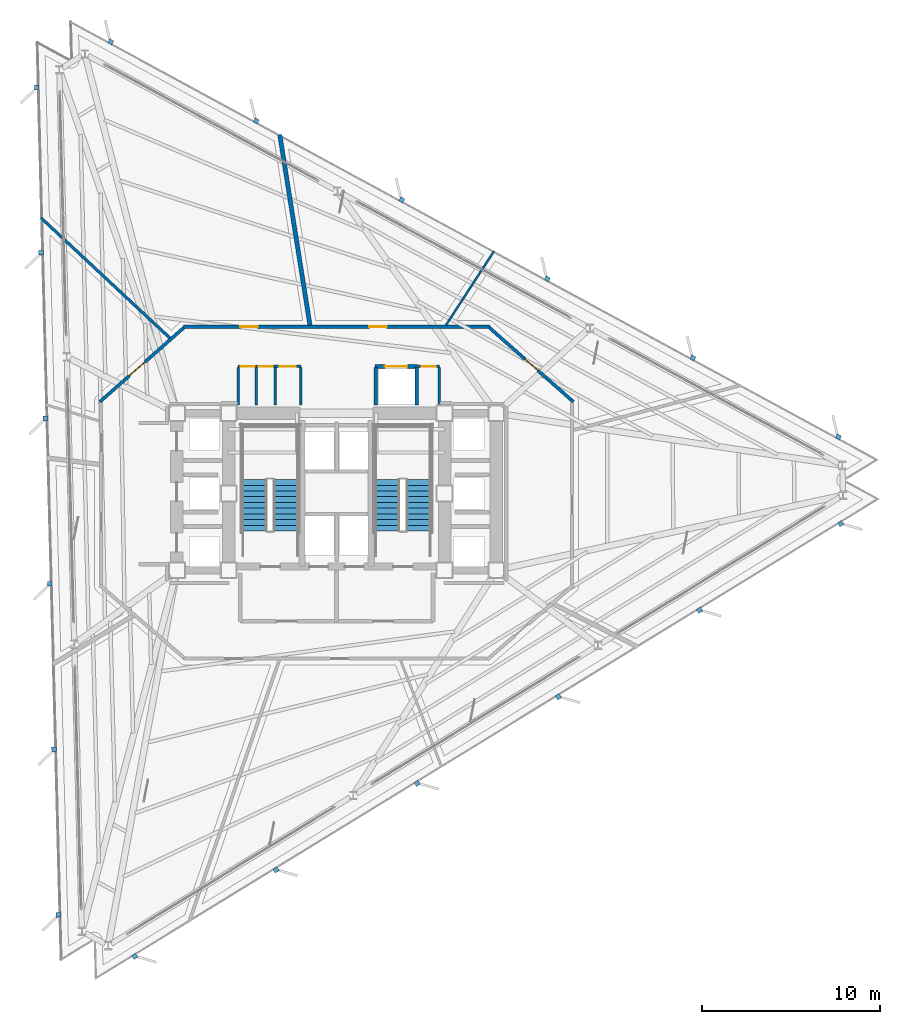
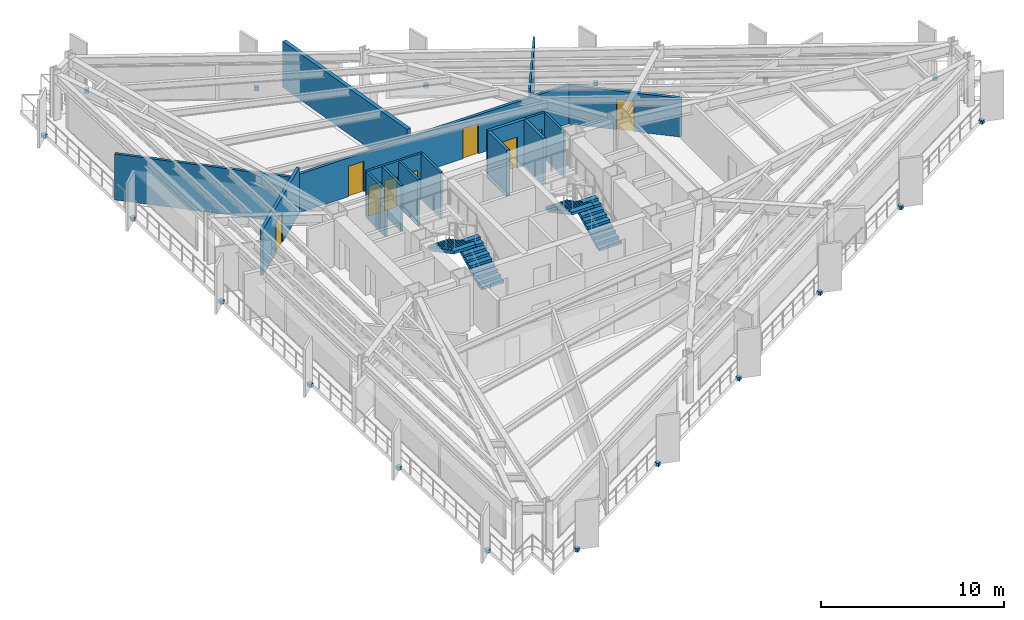
# One storey, part 9 of 14: 18 discrete accessories, 16 walls, 9 doors, 4 stair flights, 9 openings, 2 elements without a shape of their own.
"""IFC4 building model written with IfcOpenShell, lengths in metres."""

from ifc_helpers import new_model, si_unit, direction, frame, frame_2d, origin, origin_2d, place, context, subcontext, project, spatial, polyline, rectangle, outline, extrude, material, layer, layer_set, type_object, element, fill, aggregate, save


model = new_model("IFC4")

# Units and contexts
model_context = context("Model", 3, precision=1e-05, world=origin(), true_north=direction((0.0, 1.0)))
body_context = subcontext(model_context, "Body", "Model", "MODEL_VIEW")
ifc_project = project(units=[si_unit("LENGTHUNIT", "METRE"), si_unit("AREAUNIT", "SQUARE_METRE"), si_unit("VOLUMEUNIT", "CUBIC_METRE"), si_unit("PLANEANGLEUNIT", "RADIAN"), si_unit("MASSUNIT", "GRAM", prefix="KILO")], contexts=[model_context])

# Site, building, storey
site_placement = place(None, origin())
site = spatial("IfcSite", under=ifc_project, at=site_placement, CompositionType="ELEMENT")
building_placement = place(site_placement, origin())
building = spatial("IfcBuilding", under=site, at=building_placement, Name="Rocaltana Carrier Exchange", CompositionType="ELEMENT")
storey_placement = place(building_placement, frame((0.0, 0.0, 32.320068359375)))
storey = spatial("IfcBuildingStorey", under=building, at=storey_placement, Name="L10", CompositionType="ELEMENT", Elevation=32.320068359375)

# Wall
ifc_material_1 = material(Name="Double Acoustic Gypsum Partition", Category="gypsum")
ifc_layer_1 = layer(ifc_material_1, 0.159912109375)
ifc_layer_set_1 = layer_set([ifc_layer_1], Name="Double Acoustic Gypsum Partition")
wall_type_1 = type_object("IfcWallType", Name="Acoustic Studio Partition 160 EI60", PredefinedType="PARTITIONING", material=ifc_layer_set_1)
wall_1_placement = place(storey_placement, frame((-9.343017578125, 8.71240234375, 0.0), z_axis=(0.0, 0.0, 1.0), x_axis=(-0.731347028882, 0.682005515627, 0.0)))
element("IfcWall", 1, at=wall_1_placement, inside=storey, type_object=wall_type_1, Name="L10 Suite Divider Wall D8", PredefinedType="PARTITIONING", context=body_context, shape_type="SweptSolid", body=[
    extrude(rectangle(XDim=9.876220703125, YDim=0.159912109375, at=frame_2d((4.93798828125, 0.0))), origin(), (0.0, 0.0, 1.0), 3.072998046875),
])

# Wall, openings, doors
ifc_material_2 = material(Name="Gypsum & Steel Stud Partition", Category="steel")
ifc_layer_2 = layer(ifc_material_2, 0.179931640625)
ifc_layer_set_2 = layer_set([ifc_layer_2], Name="Gypsum & Steel Stud Partition")
wall_type_2 = type_object("IfcWallType", Name="Corridor Fire Partition 180 EI60", PredefinedType="PARTITIONING", material=ifc_layer_set_2)
wall_2_placement = place(storey_placement, frame((-8.590087890625, 9.35009765625, 0.0), z_axis=(0.0, 0.0, 1.0), x_axis=(1.0, 0.0, 0.0)))
wall_2 = element("IfcWall", 2, at=wall_2_placement, inside=storey, type_object=wall_type_2, Name="L10 Corridor Partition 1", PredefinedType="PARTITIONING", context=body_context, shape_type="SweptSolid", body=[
    extrude(rectangle(XDim=17.18017578125, YDim=0.179931640625, at=frame_2d((8.590087890625, 0.0))), origin(), (0.0, 0.0, 1.0), 2.5869140625),
])
opening_1_placement = place(wall_2_placement, frame((10.430419921875, 0.0, 0.0)))
opening_1 = element("IfcOpeningElement", 3, at=opening_1_placement, cuts=wall_2, Name="Opening D-RM098", PredefinedType="OPENING", context=body_context, shape_type="SweptSolid", body=[
    extrude(rectangle(XDim=0.9599609375, YDim=2.02001953125, at=frame_2d((0.47998046875, 1.010009765625))), frame((0.0, 0.099853515625, 0.0), z_axis=(0.0, -1.0, 0.0), x_axis=(1.0, 0.0, 0.0)), (0.0, 0.0, 1.0), 0.199951171875),
])
opening_2_placement = place(wall_2_placement, frame((3.197998046875, 0.0, 0.0)))
opening_2 = element("IfcOpeningElement", 4, at=opening_2_placement, cuts=wall_2, Name="Opening D-RM098", PredefinedType="OPENING", context=body_context, shape_type="SweptSolid", body=[
    extrude(rectangle(XDim=0.9599609375, YDim=2.02001953125, at=frame_2d((0.47998046875, 1.010009765625))), frame((0.0, 0.099853515625, 0.0), z_axis=(0.0, -1.0, 0.0), x_axis=(1.0, 0.0, 0.0)), (0.0, 0.0, 1.0), 0.199951171875),
])
ifc_material_3 = material(Name="Engineered Hardwood Timber", Category="wood")
door_type_1 = type_object("IfcDoorType", Name="Workspace Single Door 960x2020", OperationType="NOTDEFINED", PredefinedType="DOOR", material=ifc_material_3)
door_1_placement = place(opening_1_placement, origin())
door_1 = element("IfcDoor", 5, at=door_1_placement, inside=storey, type_object=door_type_1, Name="L10 Quiet Focus Lounge Entrance Door", OperationType="SINGLE_SWING_RIGHT", OverallHeight=2.02001953125, OverallWidth=0.9599609375, PredefinedType="DOOR", context=body_context, shape_type="SweptSolid", body=[
    extrude(rectangle(XDim=0.9599609375, YDim=2.02001953125, at=frame_2d((0.47998046875, 1.010009765625))), frame((0.0, 0.02490234375, 0.0), z_axis=(0.0, -1.0, 0.0), x_axis=(1.0, 0.0, 0.0)), (0.0, 0.0, 1.0), 0.050048828125),
])
fill(opening_1, door_1)
door_2_placement = place(opening_2_placement, origin())
door_2 = element("IfcDoor", 6, at=door_2_placement, inside=storey, type_object=door_type_1, Name="L10 Incident Briefing Room Entrance Door", OperationType="SINGLE_SWING_LEFT", OverallHeight=2.02001953125, OverallWidth=0.9599609375, PredefinedType="DOOR", context=body_context, shape_type="SweptSolid", body=[
    extrude(rectangle(XDim=0.9599609375, YDim=2.02001953125, at=frame_2d((0.47998046875, 1.010009765625))), frame((0.0, 0.02490234375, 0.0), z_axis=(0.0, -1.0, 0.0), x_axis=(1.0, 0.0, 0.0)), (0.0, 0.0, 1.0), 0.050048828125),
])
fill(opening_2, door_2)

# Wall, opening, door
wall_3_placement = place(storey_placement, frame((8.5673828125, 9.290283203125, 0.0), z_axis=(0.0, 0.0, 1.0), x_axis=(0.749626463267, -0.66186113768, 0.0)))
wall_3 = element("IfcWall", 7, at=wall_3_placement, inside=storey, type_object=wall_type_2, Name="L10 Corridor Partition 2", PredefinedType="PARTITIONING", context=body_context, shape_type="SweptSolid", body=[
    extrude(rectangle(XDim=6.27001953125, YDim=0.179931640625, at=frame_2d((3.135009765625, 0.0))), origin(), (0.0, 0.0, 1.0), 2.5869140625),
])
opening_3_placement = place(wall_3_placement, frame((2.655029296875, 0.0, 0.0)))
opening_3 = element("IfcOpeningElement", 8, at=opening_3_placement, cuts=wall_3, Name="Opening D-RM098", PredefinedType="OPENING", context=body_context, shape_type="SweptSolid", body=[
    extrude(rectangle(XDim=0.9599609375, YDim=2.02001953125, at=frame_2d((0.47998046875, 1.010009765625))), frame((0.0, 0.099853515625, 0.0), z_axis=(0.0, -1.0, 0.0), x_axis=(1.0, 0.0, 0.0)), (0.0, 0.0, 1.0), 0.199951171875),
])
door_3_placement = place(opening_3_placement, origin())
door_3 = element("IfcDoor", 9, at=door_3_placement, inside=storey, type_object=door_type_1, Name="L10 Peering Conference Room Entrance Door", OperationType="SINGLE_SWING_LEFT", OverallHeight=2.02001953125, OverallWidth=0.9599609375, PredefinedType="DOOR", context=body_context, shape_type="SweptSolid", body=[
    extrude(rectangle(XDim=0.9599609375, YDim=2.02001953125, at=frame_2d((0.47998046875, 1.010009765625))), frame((0.0, 0.02490234375, 0.0), z_axis=(0.0, -1.0, 0.0), x_axis=(1.0, 0.0, 0.0)), (0.0, 0.0, 1.0), 0.050048828125),
])
fill(opening_3, door_3)

wall_4_placement = place(storey_placement, frame((-13.267578125, 5.140380859375, 0.0), z_axis=(0.0, 0.0, 1.0), x_axis=(0.749626463267, 0.66186113768, 0.0)))
wall_4 = element("IfcWall", 10, at=wall_4_placement, inside=storey, type_object=wall_type_2, Name="L10 Corridor Partition 8", PredefinedType="PARTITIONING", context=body_context, shape_type="SweptSolid", body=[
    extrude(rectangle(XDim=6.27001953125, YDim=0.179931640625, at=frame_2d((3.135009765625, 0.0))), origin(), (0.0, 0.0, 1.0), 3.072998046875),
])
opening_4_placement = place(wall_4_placement, frame((2.193115234375, 0.0, 0.0)))
opening_4 = element("IfcOpeningElement", 11, at=opening_4_placement, cuts=wall_4, Name="Opening D-SU120", PredefinedType="OPENING", context=body_context, shape_type="SweptSolid", body=[
    extrude(rectangle(XDim=1.179931640625, YDim=2.02001953125, at=frame_2d((0.58984375, 1.010009765625))), frame((0.0, 0.099853515625, 0.0), z_axis=(0.0, -1.0, 0.0), x_axis=(1.0, 0.0, 0.0)), (0.0, 0.0, 1.0), 0.199951171875),
])
ifc_material_4 = material(Name="Engineered Hardwood Timber", Category="wood")
door_type_2 = type_object("IfcDoorType", Name="Suite Double Entrance Door 1180x2020", OperationType="NOTDEFINED", PredefinedType="DOOR", material=ifc_material_4)
door_4_placement = place(opening_4_placement, origin())
door_4 = element("IfcDoor", 12, at=door_4_placement, inside=storey, type_object=door_type_2, Name="L10 Carrier Peering Suite Entrance Door", OperationType="SINGLE_SWING_RIGHT", OverallHeight=2.02001953125, OverallWidth=1.179931640625, PredefinedType="DOOR", context=body_context, shape_type="SweptSolid", body=[
    extrude(rectangle(XDim=1.179931640625, YDim=2.02001953125, at=frame_2d((0.58984375, 1.010009765625))), frame((0.0, 0.02490234375, 0.0), z_axis=(0.0, -1.0, 0.0), x_axis=(1.0, 0.0, 0.0)), (0.0, 0.0, 1.0), 0.050048828125),
])
fill(opening_4, door_4)

# Walls
ifc_material_5 = material(Name="Aluminium 6063-T6 & Acoustic Glass", Category="aluminium")
ifc_layer_3 = layer(ifc_material_5, 0.114990234375)
ifc_layer_set_3 = layer_set([ifc_layer_3], Name="Aluminium 6063-T6 & Acoustic Glass")
wall_type_3 = type_object("IfcWallType", Name="Demountable Glazed Lab Partition 115", PredefinedType="MOVABLE", material=ifc_layer_set_3)
wall_5_placement = place(storey_placement, frame((6.123779296875, 9.429931640625, 0.0), z_axis=(0.0, 0.0, 1.0), x_axis=(0.544668366902, 0.838651518866, 0.0)))
element("IfcWall", 13, at=wall_5_placement, inside=storey, type_object=wall_type_3, Name="L10 Suite Divider Wall D6", PredefinedType="MOVABLE", context=body_context, shape_type="SweptSolid", body=[
    extrude(rectangle(XDim=4.9619140625, YDim=0.114990234375, at=frame_2d((2.48095703125, 0.0))), origin(), (0.0, 0.0, 1.0), 3.072998046875),
])
ifc_material_6 = material(Name="Acoustic Calcium Silicate Partition", Category="gypsum")
ifc_layer_4 = layer(ifc_material_6, 0.239990234375)
ifc_layer_set_4 = layer_set([ifc_layer_4], Name="Acoustic Calcium Silicate Partition")
wall_type_4 = type_object("IfcWallType", Name="Heavy Lab Partition 240 EI90", PredefinedType="PARTITIONING", material=ifc_layer_set_4)
wall_6_placement = place(storey_placement, frame((-1.49365234375, 9.429931640625, 0.0), z_axis=(0.0, 0.0, 1.0), x_axis=(-0.156418067091, 0.987690937636, 0.0)))
element("IfcWall", 14, at=wall_6_placement, inside=storey, type_object=wall_type_4, Name="L10 Suite Divider Wall D7", PredefinedType="PARTITIONING", context=body_context, shape_type="SweptSolid", body=[
    extrude(rectangle(XDim=10.81640625, YDim=0.239990234375, at=frame_2d((5.408203125, 0.0))), origin(), (0.0, 0.0, 1.0), 3.072998046875),
])
ifc_material_7 = material(Name="Reinforced Concrete Block C35/45", Category="concrete")
ifc_layer_5 = layer(ifc_material_7, 0.199951171875)
ifc_layer_set_5 = layer_set([ifc_layer_5], Name="Reinforced Concrete Block C35/45")
wall_type_5 = type_object("IfcWallType", Name="Lift Hoistway Enclosure Wall 200 EI120", PredefinedType="PARTITIONING", material=ifc_layer_set_5)
for number, where, z_axis, x_axis, name in (
    (15, (2.199951171875, 4.949951171875, 0.0), (0.0, 0.0, 1.0), (0.0, 1.0, 0.0), "L10 Goods Lift West Wall"),
    (16, (4.47998046875, 4.949951171875, 0.0), (0.0, 0.0, 1.0), (0.0, 1.0, 0.0), "L10 Goods Lift East Wall"),
):
    element("IfcWall", number, at=place(storey_placement, frame(where, z_axis=z_axis, x_axis=x_axis)), inside=storey, type_object=wall_type_5, Name=name, PredefinedType="PARTITIONING", context=body_context, shape_type="SweptSolid", body=[
        extrude(rectangle(XDim=2.10009765625, YDim=0.199951171875, at=frame_2d((1.050048828125, 0.0))), origin(), (0.0, 0.0, 1.0), 3.072998046875),
    ])

# Wall, opening, door
wall_7_placement = place(storey_placement, frame((2.14990234375, 7.1201171875, 0.0), z_axis=(0.0, 0.0, 1.0), x_axis=(1.0, 0.0, 0.0)))
wall_7 = element("IfcWall", 17, at=wall_7_placement, inside=storey, type_object=wall_type_5, Name="L10 Goods Lift Front Wall", PredefinedType="PARTITIONING", context=body_context, shape_type="SweptSolid", body=[
    extrude(rectangle(XDim=2.380126953125, YDim=0.199951171875, at=frame_2d((1.18994140625, 0.0))), origin(), (0.0, 0.0, 1.0), 3.072998046875),
])
opening_5_placement = place(wall_7_placement, frame((0.56005859375, 0.0, 0.0)))
opening_5 = element("IfcOpeningElement", 18, at=opening_5_placement, cuts=wall_7, Name="Opening LD-130", PredefinedType="OPENING", context=body_context, shape_type="SweptSolid", body=[
    extrude(rectangle(XDim=1.260009765625, YDim=2.06005859375, at=frame_2d((0.6298828125, 1.030029296875))), frame((0.0, 0.10986328125, 0.0), z_axis=(0.0, -1.0, 0.0), x_axis=(1.0, 0.0, 0.0)), (0.0, 0.0, 1.0), 0.219970703125),
])
ifc_material_8 = material(Name="Brushed Stainless Sliding Door Leaf", Category="steel")
door_type_3 = type_object("IfcDoorType", Name="Goods Lift Landing Sliding Door 1260x2060", OperationType="NOTDEFINED", PredefinedType="DOOR", material=ifc_material_8)
door_5_placement = place(opening_5_placement, origin())
door_5 = element("IfcDoor", 19, at=door_5_placement, inside=storey, type_object=door_type_3, Name="L10 Goods Lift GL-1 Landing Door", OperationType="SLIDING_TO_LEFT", OverallHeight=2.06005859375, OverallWidth=1.260009765625, PredefinedType="DOOR", context=body_context, shape_type="SweptSolid", body=[
    extrude(rectangle(XDim=1.260009765625, YDim=2.06005859375, at=frame_2d((0.6298828125, 1.030029296875))), frame((0.0, 0.02490234375, 0.0), z_axis=(0.0, -1.0, 0.0), x_axis=(1.0, 0.0, 0.0)), (0.0, 0.0, 1.0), 0.050048828125),
])
fill(opening_5, door_5)

# Walls
ifc_material_9 = material(Name="Moisture-Resistant Masonry C30/37", Category="masonry")
ifc_layer_6 = layer(ifc_material_9, 0.139892578125)
ifc_layer_set_6 = layer_set([ifc_layer_6], Name="Moisture-Resistant Masonry C30/37")
wall_type_6 = type_object("IfcWallType", Name="Wet-Area Sanitary Partition 140", PredefinedType="PARTITIONING", material=ifc_layer_set_6)
for number, where, z_axis, x_axis, name in (
    (20, (-5.5, 4.949951171875, 0.0), (0.0, 0.0, 1.0), (0.0, 1.0, 0.0), "L10 Sanitary West Wall"),
    (21, (-4.5, 4.949951171875, 0.0), (0.0, 0.0, 1.0), (0.0, 1.0, 0.0), "L10 Sanitary Divider 1"),
    (22, (-3.449951171875, 4.949951171875, 0.0), (0.0, 0.0, 1.0), (0.0, 1.0, 0.0), "L10 Sanitary Divider 2"),
    (23, (-2.02001953125, 4.949951171875, 0.0), (0.0, 0.0, 1.0), (0.0, 1.0, 0.0), "L10 Sanitary East Wall"),
):
    element("IfcWall", number, at=place(storey_placement, frame(where, z_axis=z_axis, x_axis=x_axis)), inside=storey, type_object=wall_type_6, Name=name, PredefinedType="PARTITIONING", context=body_context, shape_type="SweptSolid", body=[
        extrude(rectangle(XDim=2.10009765625, YDim=0.139892578125, at=frame_2d((1.050048828125, 0.0))), origin(), (0.0, 0.0, 1.0), 3.072998046875),
    ])

# Wall, openings, doors
wall_8_placement = place(storey_placement, frame((-5.52001953125, 7.1201171875, 0.0), z_axis=(0.0, 0.0, 1.0), x_axis=(1.0, 0.0, 0.0)))
wall_8 = element("IfcWall", 24, at=wall_8_placement, inside=storey, type_object=wall_type_6, Name="L10 Sanitary North Wall", PredefinedType="PARTITIONING", context=body_context, shape_type="SweptSolid", body=[
    extrude(rectangle(XDim=3.52001953125, YDim=0.139892578125, at=frame_2d((1.760009765625, 0.0))), origin(), (0.0, 0.0, 1.0), 3.072998046875),
])
opening_6_placement = place(wall_8_placement, frame((0.139892578125, 0.0, 0.0)))
opening_6 = element("IfcOpeningElement", 25, at=opening_6_placement, cuts=wall_8, Name="Opening D-RS082", PredefinedType="OPENING", context=body_context, shape_type="SweptSolid", body=[
    extrude(rectangle(XDim=0.780029296875, YDim=2.010009765625, at=frame_2d((0.39013671875, 1.0048828125))), frame((0.0, 0.079833984375, 0.0), z_axis=(0.0, -1.0, 0.0), x_axis=(1.0, 0.0, 0.0)), (0.0, 0.0, 1.0), 0.159912109375),
])
opening_7_placement = place(wall_8_placement, frame((1.14990234375, 0.0, 0.0)))
opening_7 = element("IfcOpeningElement", 26, at=opening_7_placement, cuts=wall_8, Name="Opening D-RS082", PredefinedType="OPENING", context=body_context, shape_type="SweptSolid", body=[
    extrude(rectangle(XDim=0.780029296875, YDim=2.010009765625, at=frame_2d((0.39013671875, 1.0048828125))), frame((0.0, 0.079833984375, 0.0), z_axis=(0.0, -1.0, 0.0), x_axis=(1.0, 0.0, 0.0)), (0.0, 0.0, 1.0), 0.159912109375),
])
opening_8_placement = place(wall_8_placement, frame((2.340087890625, 0.0, 0.0)))
opening_8 = element("IfcOpeningElement", 27, at=opening_8_placement, cuts=wall_8, Name="Opening D-WC090", PredefinedType="OPENING", context=body_context, shape_type="SweptSolid", body=[
    extrude(rectangle(XDim=0.8798828125, YDim=2.02001953125, at=frame_2d((0.43994140625, 1.010009765625))), frame((0.0, 0.079833984375, 0.0), z_axis=(0.0, -1.0, 0.0), x_axis=(1.0, 0.0, 0.0)), (0.0, 0.0, 1.0), 0.159912109375),
])
ifc_material_10 = material(Name="High-Pressure Laminate Timber", Category="wood")
door_type_4 = type_object("IfcDoorType", Name="Restroom & Accessible WC Door 880x2020", OperationType="NOTDEFINED", PredefinedType="DOOR", material=ifc_material_10)
door_6_placement = place(opening_8_placement, origin())
door_6 = element("IfcDoor", 28, at=door_6_placement, inside=storey, type_object=door_type_4, Name="L10 Accessible Toilet Door", OperationType="SINGLE_SWING_RIGHT", OverallHeight=2.02001953125, OverallWidth=0.8798828125, PredefinedType="DOOR", context=body_context, shape_type="SweptSolid", body=[
    extrude(rectangle(XDim=0.8798828125, YDim=2.02001953125, at=frame_2d((0.43994140625, 1.010009765625))), frame((0.0, 0.02490234375, 0.0), z_axis=(0.0, -1.0, 0.0), x_axis=(1.0, 0.0, 0.0)), (0.0, 0.0, 1.0), 0.050048828125),
])
fill(opening_8, door_6)
ifc_material_11 = material(Name="Hollow Metal Access Door Leaf", Category="steel")
door_type_5 = type_object("IfcDoorType", Name="Riser & Service Closet Door 780x2010", OperationType="NOTDEFINED", PredefinedType="DOOR", material=ifc_material_11)
door_7_placement = place(opening_6_placement, origin())
door_7 = element("IfcDoor", 29, at=door_7_placement, inside=storey, type_object=door_type_5, Name="L10 Cleaner Store Door", OperationType="SINGLE_SWING_RIGHT", OverallHeight=2.010009765625, OverallWidth=0.780029296875, PredefinedType="DOOR", context=body_context, shape_type="SweptSolid", body=[
    extrude(rectangle(XDim=0.780029296875, YDim=2.010009765625, at=frame_2d((0.39013671875, 1.0048828125))), frame((0.0, 0.02490234375, 0.0), z_axis=(0.0, -1.0, 0.0), x_axis=(1.0, 0.0, 0.0)), (0.0, 0.0, 1.0), 0.050048828125),
])
fill(opening_6, door_7)
door_8_placement = place(opening_7_placement, origin())
door_8 = element("IfcDoor", 30, at=door_8_placement, inside=storey, type_object=door_type_5, Name="L10 Staff Restroom Door", OperationType="SINGLE_SWING_LEFT", OverallHeight=2.010009765625, OverallWidth=0.780029296875, PredefinedType="DOOR", context=body_context, shape_type="SweptSolid", body=[
    extrude(rectangle(XDim=0.780029296875, YDim=2.010009765625, at=frame_2d((0.39013671875, 1.0048828125))), frame((0.0, 0.02490234375, 0.0), z_axis=(0.0, -1.0, 0.0), x_axis=(1.0, 0.0, 0.0)), (0.0, 0.0, 1.0), 0.050048828125),
])
fill(opening_7, door_8)

# Wall
wall_9_placement = place(storey_placement, frame((5.760009765625, 4.949951171875, 0.0), z_axis=(0.0, 0.0, 1.0), x_axis=(0.0, 1.0, 0.0)))
element("IfcWall", 31, at=wall_9_placement, inside=storey, type_object=wall_type_6, Name="L10 Riser East Wall", PredefinedType="PARTITIONING", context=body_context, shape_type="SweptSolid", body=[
    extrude(rectangle(XDim=2.10009765625, YDim=0.139892578125, at=frame_2d((1.050048828125, 0.0))), origin(), (0.0, 0.0, 1.0), 3.072998046875),
])

# Wall, opening, door
wall_10_placement = place(storey_placement, frame((4.56005859375, 7.1201171875, 0.0), z_axis=(0.0, 0.0, 1.0), x_axis=(1.0, 0.0, 0.0)))
wall_10 = element("IfcWall", 32, at=wall_10_placement, inside=storey, type_object=wall_type_6, Name="L10 Riser North Wall", PredefinedType="PARTITIONING", context=body_context, shape_type="SweptSolid", body=[
    extrude(rectangle(XDim=1.199951171875, YDim=0.139892578125, at=frame_2d((0.60009765625, 0.0))), origin(), (0.0, 0.0, 1.0), 3.072998046875),
])
opening_9_placement = place(wall_10_placement, frame((0.2099609375, 0.0, 0.0)))
opening_9 = element("IfcOpeningElement", 33, at=opening_9_placement, cuts=wall_10, Name="Opening D-RS082", PredefinedType="OPENING", context=body_context, shape_type="SweptSolid", body=[
    extrude(rectangle(XDim=0.780029296875, YDim=2.010009765625, at=frame_2d((0.39013671875, 1.0048828125))), frame((0.0, 0.079833984375, 0.0), z_axis=(0.0, -1.0, 0.0), x_axis=(1.0, 0.0, 0.0)), (0.0, 0.0, 1.0), 0.159912109375),
])
door_9_placement = place(opening_9_placement, origin())
door_9 = element("IfcDoor", 34, at=door_9_placement, inside=storey, type_object=door_type_5, Name="L10 Signal Riser Closet Door", OperationType="SINGLE_SWING_LEFT", OverallHeight=2.010009765625, OverallWidth=0.780029296875, PredefinedType="DOOR", context=body_context, shape_type="SweptSolid", body=[
    extrude(rectangle(XDim=0.780029296875, YDim=2.010009765625, at=frame_2d((0.39013671875, 1.0048828125))), frame((0.0, 0.02490234375, 0.0), z_axis=(0.0, -1.0, 0.0), x_axis=(1.0, 0.0, 0.0)), (0.0, 0.0, 1.0), 0.050048828125),
])
fill(opening_9, door_9)

# Stair, stair flights
ifc_material_12 = material(Name="Precast concrete C45/55", Category="concrete")
stair_type = type_object("IfcStairType", Name="Standard Dog-Leg Stair 160", PredefinedType="HALF_TURN_STAIR", material=ifc_material_12)
stair_1_placement = place(storey_placement, origin())
stair_1 = element("IfcStair", 35, at=stair_1_placement, inside=storey, type_object=stair_type, Name="L10 Core West Exit Stair ST-1", PredefinedType="HALF_TURN_STAIR")
ifc_material_13 = material(Name="Precast concrete C45/55", Category="concrete")
stair_flight_type = type_object("IfcStairFlightType", Name="Precast Stair Flight 160", PredefinedType="STRAIGHT", material=ifc_material_13)
stair_flight_1_placement = place(storey_placement, frame((-2.840087890625, -2.10009765625, 0.0), z_axis=(0.0, 0.0, 1.0), x_axis=(0.0, 1.0, 0.0)))
stair_flight_1 = element("IfcStairFlight", 36, at=stair_flight_1_placement, type_object=stair_flight_type, Name="ST-1 flight 1", NumberOfRisers=10, NumberOfTreads=9, PredefinedType="STRAIGHT", RiserHeight=0.168, TreadLength=0.32, context=body_context, shape_type="SweptSolid", body=[
    extrude(outline(polyline([(0.0, 0.0), (0.0, 0.16796875), (0.320068359375, 0.16796875), (0.320068359375, 0.3359375), (0.639892578125, 0.3359375), (0.639892578125, 0.50390625), (0.9599609375, 0.50390625), (0.9599609375, 0.672119140625), (1.280029296875, 0.672119140625), (1.280029296875, 0.840087890625), (1.60009765625, 0.840087890625), (1.60009765625, 1.008056640625), (1.919921875, 1.008056640625), (1.919921875, 1.176025390625), (2.239990234375, 1.176025390625), (2.239990234375, 1.343994140625), (2.56005859375, 1.343994140625), (2.56005859375, 1.511962890625), (2.8798828125, 1.511962890625), (2.8798828125, 1.679931640625), (2.8798828125, 1.331298828125), (0.343994140625, 0.0), (0.0, 0.0)])), frame((0.0, 0.699951171875, 0.0), z_axis=(0.0, -1.0, 0.0), x_axis=(1.0, 0.0, 0.0)), (0.0, 0.0, 1.0), 1.39990234375),
])
stair_flight_2_placement = place(storey_placement, frame((-4.60009765625, 0.780029296875, 1.679931640625), z_axis=(0.0, 0.0, 1.0), x_axis=(0.0, -1.0, 0.0)))
stair_flight_2 = element("IfcStairFlight", 37, at=stair_flight_2_placement, type_object=stair_flight_type, Name="ST-1 flight 2", NumberOfRisers=10, NumberOfTreads=9, PredefinedType="STRAIGHT", RiserHeight=0.168, TreadLength=0.32, context=body_context, shape_type="SweptSolid", body=[
    extrude(outline(polyline([(0.0, 0.0), (0.0, 0.16796875), (0.320068359375, 0.16796875), (0.320068359375, 0.3359375), (0.639892578125, 0.3359375), (0.639892578125, 0.50390625), (0.9599609375, 0.50390625), (0.9599609375, 0.672119140625), (1.280029296875, 0.672119140625), (1.280029296875, 0.840087890625), (1.60009765625, 0.840087890625), (1.60009765625, 1.008056640625), (1.919921875, 1.008056640625), (1.919921875, 1.176025390625), (2.239990234375, 1.176025390625), (2.239990234375, 1.343994140625), (2.56005859375, 1.343994140625), (2.56005859375, 1.511962890625), (2.8798828125, 1.511962890625), (2.8798828125, 1.679931640625), (2.8798828125, 1.331298828125), (0.343994140625, 0.0), (0.0, 0.0)])), frame((0.0, 0.699951171875, 0.0), z_axis=(0.0, -1.0, 0.0), x_axis=(1.0, 0.0, 0.0)), (0.0, 0.0, 1.0), 1.39990234375),
])
aggregate(stair_1, [stair_flight_1, stair_flight_2])

stair_2_placement = place(storey_placement, origin())
stair_2 = element("IfcStair", 38, at=stair_2_placement, inside=storey, type_object=stair_type, Name="L10 Core East Exit Stair ST-2", PredefinedType="HALF_TURN_STAIR")
stair_flight_3_placement = place(storey_placement, frame((4.60009765625, -2.10009765625, 0.0), z_axis=(0.0, 0.0, 1.0), x_axis=(0.0, 1.0, 0.0)))
stair_flight_3 = element("IfcStairFlight", 39, at=stair_flight_3_placement, type_object=stair_flight_type, Name="ST-2 flight 1", NumberOfRisers=10, NumberOfTreads=9, PredefinedType="STRAIGHT", RiserHeight=0.168, TreadLength=0.32, context=body_context, shape_type="SweptSolid", body=[
    extrude(outline(polyline([(0.0, 0.0), (0.0, 0.16796875), (0.320068359375, 0.16796875), (0.320068359375, 0.3359375), (0.639892578125, 0.3359375), (0.639892578125, 0.50390625), (0.9599609375, 0.50390625), (0.9599609375, 0.672119140625), (1.280029296875, 0.672119140625), (1.280029296875, 0.840087890625), (1.60009765625, 0.840087890625), (1.60009765625, 1.008056640625), (1.919921875, 1.008056640625), (1.919921875, 1.176025390625), (2.239990234375, 1.176025390625), (2.239990234375, 1.343994140625), (2.56005859375, 1.343994140625), (2.56005859375, 1.511962890625), (2.8798828125, 1.511962890625), (2.8798828125, 1.679931640625), (2.8798828125, 1.331298828125), (0.343994140625, 0.0), (0.0, 0.0)])), frame((0.0, 0.699951171875, 0.0), z_axis=(0.0, -1.0, 0.0), x_axis=(1.0, 0.0, 0.0)), (0.0, 0.0, 1.0), 1.39990234375),
])
stair_flight_4_placement = place(storey_placement, frame((2.840087890625, 0.780029296875, 1.679931640625), z_axis=(0.0, 0.0, 1.0), x_axis=(0.0, -1.0, 0.0)))
stair_flight_4 = element("IfcStairFlight", 40, at=stair_flight_4_placement, type_object=stair_flight_type, Name="ST-2 flight 2", NumberOfRisers=10, NumberOfTreads=9, PredefinedType="STRAIGHT", RiserHeight=0.168, TreadLength=0.32, context=body_context, shape_type="SweptSolid", body=[
    extrude(outline(polyline([(0.0, 0.0), (0.0, 0.16796875), (0.320068359375, 0.16796875), (0.320068359375, 0.3359375), (0.639892578125, 0.3359375), (0.639892578125, 0.50390625), (0.9599609375, 0.50390625), (0.9599609375, 0.672119140625), (1.280029296875, 0.672119140625), (1.280029296875, 0.840087890625), (1.60009765625, 0.840087890625), (1.60009765625, 1.008056640625), (1.919921875, 1.008056640625), (1.919921875, 1.176025390625), (2.239990234375, 1.176025390625), (2.239990234375, 1.343994140625), (2.56005859375, 1.343994140625), (2.56005859375, 1.511962890625), (2.8798828125, 1.511962890625), (2.8798828125, 1.679931640625), (2.8798828125, 1.331298828125), (0.343994140625, 0.0), (0.0, 0.0)])), frame((0.0, 0.699951171875, 0.0), z_axis=(0.0, -1.0, 0.0), x_axis=(1.0, 0.0, 0.0)), (0.0, 0.0, 1.0), 1.39990234375),
])
aggregate(stair_2, [stair_flight_3, stair_flight_4])

# Discrete accessories
ifc_material_14 = material(Name="Brushed Architectural Stainless Metal", Category="steel")
ifc_layer_7 = layer(ifc_material_14, 0.219970703125)
ifc_layer_set_7 = layer_set([ifc_layer_7], Name="Brushed Architectural Stainless Metal")
discrete_accessory_type = type_object("IfcDiscreteAccessoryType", Name="Stainless Fin Slab-Edge Bracket 260x260x220", PredefinedType="BRACKET", material=ifc_layer_set_7)
for number, where, z_axis, x_axis, name in (
    (41, (28.121337890625, 3.171875, -0.2099609375), (0.0, 0.0, 1.0), (-0.878817112662, 0.47715876026, 0.0), "L10 Sandstone Fin Edge Bracket F1-01"),
    (42, (19.9658203125, 7.599853515625, -0.2099609375), (0.0, 0.0, 1.0), (-0.878817112662, 0.47715876026, 0.0), "L10 Sandstone Fin Edge Bracket F1-02"),
    (43, (11.810546875, 12.02783203125, -0.2099609375), (0.0, 0.0, 1.0), (-0.878817112662, 0.47715876026, 0.0), "L10 Sandstone Fin Edge Bracket F1-03"),
    (44, (3.655029296875, 16.4560546875, -0.2099609375), (0.0, 0.0, 1.0), (-0.878817112662, 0.47715876026, 0.0), "L10 Sandstone Fin Edge Bracket F1-04"),
    (45, (-4.50048828125, 20.884033203125, -0.2099609375), (0.0, 0.0, 1.0), (-0.878817112662, 0.47715876026, 0.0), "L10 Sandstone Fin Edge Bracket F1-05"),
    (46, (-12.65576171875, 25.31201171875, -0.2099609375), (0.0, 0.0, 1.0), (-0.878817112662, 0.47715876026, 0.0), "L10 Sandstone Fin Edge Bracket F1-06"),
    (47, (-16.8076171875, 22.767822265625, -0.2099609375), (0.0, 0.0, 1.0), (0.026176948308, -0.999657324976, 0.0), "L10 Sandstone Fin Edge Bracket F2-01"),
    (48, (-16.564697265625, 13.490966796875, -0.2099609375), (0.0, 0.0, 1.0), (0.026176948308, -0.999657324976, 0.0), "L10 Sandstone Fin Edge Bracket F2-02"),
    (49, (-16.32177734375, 4.214111328125, -0.2099609375), (0.0, 0.0, 1.0), (0.026176948308, -0.999657324976, 0.0), "L10 Sandstone Fin Edge Bracket F2-03"),
    (50, (-16.078857421875, -5.0625, -0.2099609375), (0.0, 0.0, 1.0), (0.026176948308, -0.999657324976, 0.0), "L10 Sandstone Fin Edge Bracket F2-04"),
    (51, (-15.8359375, -14.33935546875, -0.2099609375), (0.0, 0.0, 1.0), (0.026176948308, -0.999657324976, 0.0), "L10 Sandstone Fin Edge Bracket F2-05"),
    (52, (-15.593017578125, -23.6162109375, -0.2099609375), (0.0, 0.0, 1.0), (0.026176948308, -0.999657324976, 0.0), "L10 Sandstone Fin Edge Bracket F2-06"),
    (53, (-11.313720703125, -25.939697265625, -0.2099609375), (0.0, 0.0, 1.0), (0.852640164354, 0.522498564716, 0.0), "L10 Sandstone Fin Edge Bracket F3-01"),
    (54, (-3.401123046875, -21.0908203125, -0.2099609375), (0.0, 0.0, 1.0), (0.852640164354, 0.522498564716, 0.0), "L10 Sandstone Fin Edge Bracket F3-02"),
    (55, (4.51123046875, -16.2421875, -0.2099609375), (0.0, 0.0, 1.0), (0.852640164354, 0.522498564716, 0.0), "L10 Sandstone Fin Edge Bracket F3-03"),
    (56, (12.423828125, -11.393310546875, -0.2099609375), (0.0, 0.0, 1.0), (0.852640164354, 0.522498564716, 0.0), "L10 Sandstone Fin Edge Bracket F3-04"),
    (57, (20.336181640625, -6.54443359375, -0.2099609375), (0.0, 0.0, 1.0), (0.852640164354, 0.522498564716, 0.0), "L10 Sandstone Fin Edge Bracket F3-05"),
    (58, (28.248779296875, -1.69580078125, -0.2099609375), (0.0, 0.0, 1.0), (0.852640164354, 0.522498564716, 0.0), "L10 Sandstone Fin Edge Bracket F3-06"),
):
    element("IfcDiscreteAccessory", number, at=place(storey_placement, frame(where, z_axis=z_axis, x_axis=x_axis)), inside=storey, type_object=discrete_accessory_type, Name=name, PredefinedType="BRACKET", context=body_context, shape_type="SweptSolid", body=[
        extrude(rectangle(XDim=0.260009765625, YDim=0.260009765625, at=origin_2d()), origin(), (0.0, 0.0, 1.0), 0.219970703125),
    ])

save(model, "model.ifc")
